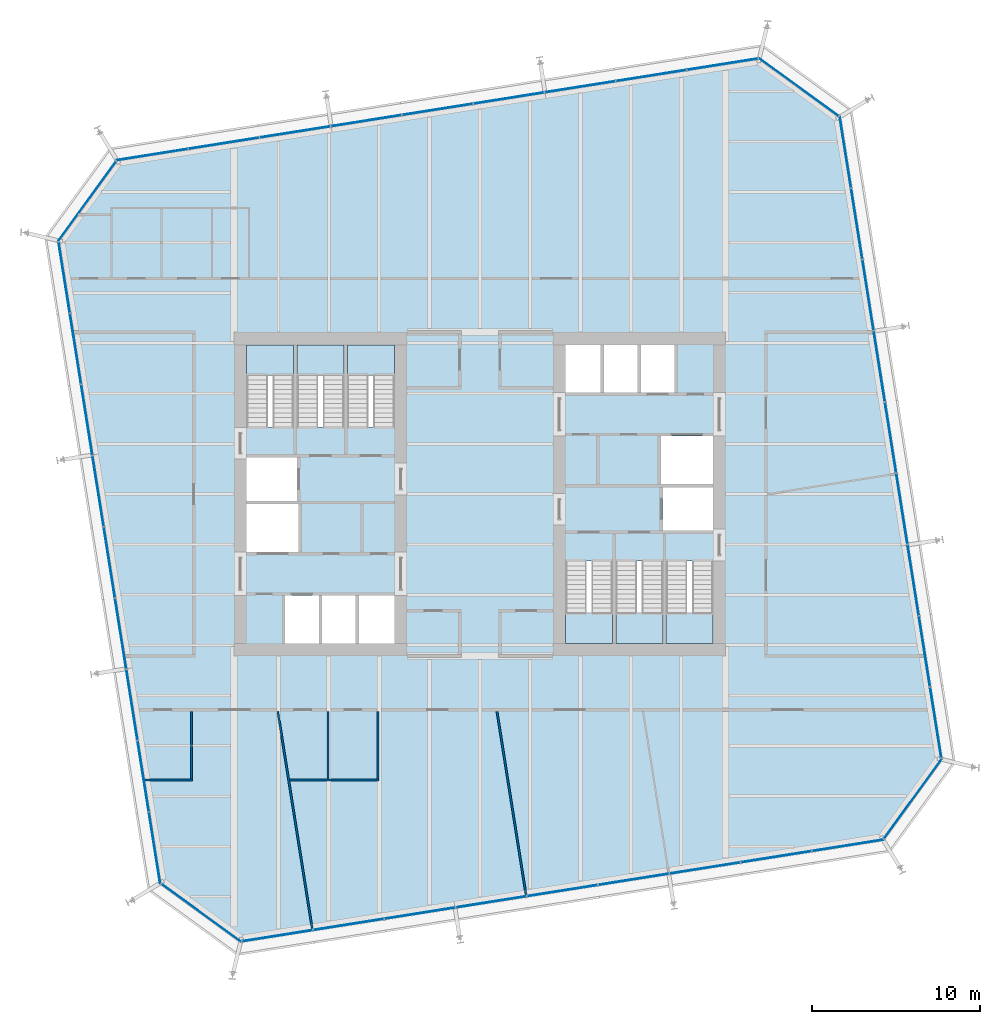
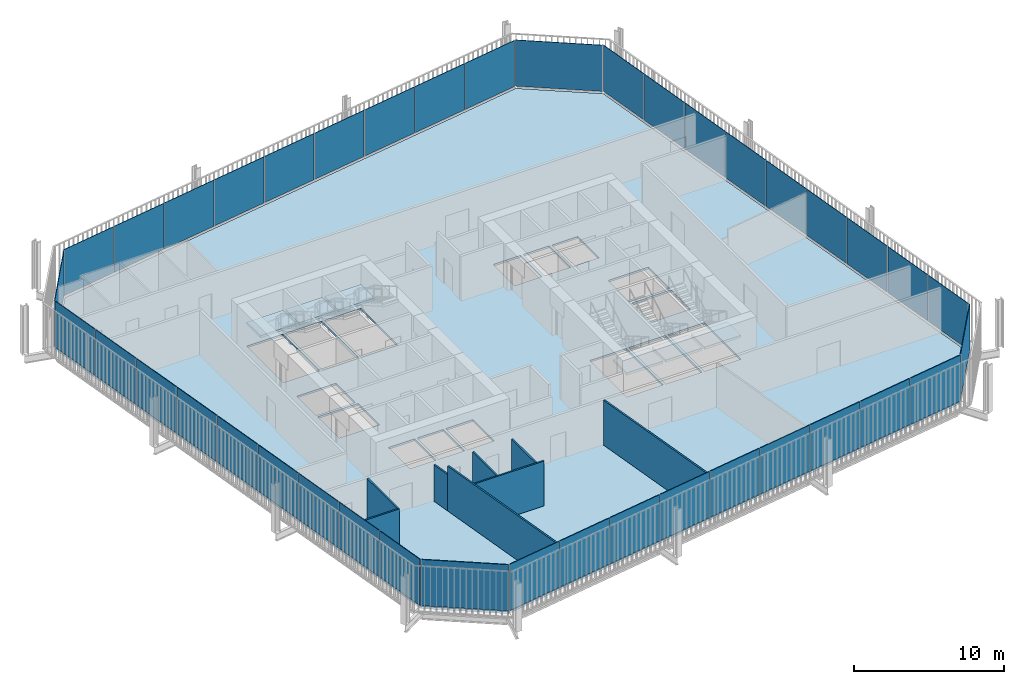
# One storey, part 16 of 21: 40 plates, 8 walls, 7 slabs, 14 elements without a shape of their own.
"""IFC4 building model written with IfcOpenShell, lengths in metres."""

from ifc_helpers import new_model, si_unit, direction, frame, frame_2d, origin, place, context, subcontext, project, spatial, polyline, rectangle, outline, extrude, material, layer, layer_set, type_object, element, aggregate, save


model = new_model("IFC4")

# Units and contexts
model_context = context("Model", 3, precision=1e-05, world=origin(), true_north=direction((0.0, 1.0)))
body_context = subcontext(model_context, "Body", "Model", "MODEL_VIEW")
ifc_project = project(units=[si_unit("LENGTHUNIT", "METRE"), si_unit("AREAUNIT", "SQUARE_METRE"), si_unit("VOLUMEUNIT", "CUBIC_METRE"), si_unit("PLANEANGLEUNIT", "RADIAN"), si_unit("MASSUNIT", "GRAM", prefix="KILO")], contexts=[model_context])

# Site, building, storey
site_placement = place(None, origin())
site = spatial("IfcSite", under=ifc_project, at=site_placement, CompositionType="ELEMENT")
building_placement = place(site_placement, origin())
building = spatial("IfcBuilding", under=site, at=building_placement, Name="Millrace Tower", CompositionType="ELEMENT")
storey_placement = place(building_placement, frame((0.0, 0.0, 191.699951171875)))
storey = spatial("IfcBuildingStorey", under=building, at=storey_placement, Name="L43", CompositionType="ELEMENT", Elevation=191.699951171875)

# Curtain wall, plate
ifc_material_1 = material(Name="Aluminium and glass", Category="aluminium")
ifc_layer_1 = layer(ifc_material_1, 0.14990234375)
ifc_layer_set_1 = layer_set([ifc_layer_1], Name="Aluminium and glass")
curtain_wall_type = type_object("IfcCurtainWallType", Name="CW-1 office vision curtain wall", PredefinedType="NOTDEFINED", material=ifc_layer_set_1)
placement_1 = place(storey_placement, origin())
curtain_wall_1 = element("IfcCurtainWall", 1, at=placement_1, inside=storey, type_object=curtain_wall_type, Name="Curtain wall C-F01 L43", PredefinedType="NOTDEFINED")
ifc_material_2 = material(Name="Glass", Category="glass")
ifc_layer_2 = layer(ifc_material_2, 0.0439453125)
ifc_layer_set_2 = layer_set([ifc_layer_2], Name="Glass")
plate_type = type_object("IfcPlateType", Name="CW-1 office vision curtain wall triple-glazed vision panel", PredefinedType="CURTAIN_PANEL", material=ifc_layer_set_2)
placement_2 = place(storey_placement, frame((0.0, 0.0, 0.14013671875)))
plate_1 = element("IfcPlate", 2, at=placement_2, type_object=plate_type, Name="CW1 panel C-F01.1", PredefinedType="CURTAIN_PANEL", context=body_context, shape_type="SweptSolid", body=[
    extrude(outline(polyline([(-18.988037109375, -23.254638671875), (-14.260009765625, -26.689697265625), (-14.2490234375, -26.6435546875), (-18.962158203125, -23.218994140625), (-18.988037109375, -23.254638671875)])), origin(), (0.0, 0.0, 1.0), 3.760009765625),
])
aggregate(curtain_wall_1, [plate_1])

# Curtain wall, plates
curtain_wall_2 = element("IfcCurtainWall", 3, at=placement_1, inside=storey, type_object=curtain_wall_type, Name="Curtain wall C-F02 L43", PredefinedType="NOTDEFINED")
plate_2 = element("IfcPlate", 4, at=placement_2, type_object=plate_type, Name="CW1 panel C-F02.1", PredefinedType="CURTAIN_PANEL", context=body_context, shape_type="SweptSolid", body=[
    extrude(outline(polyline([(-14.15625, -26.67333984375), (-9.973388671875, -26.0107421875), (-9.980224609375, -25.96728515625), (-14.1630859375, -26.6298828125), (-14.15625, -26.67333984375)])), origin(), (0.0, 0.0, 1.0), 3.760009765625),
])
plate_3 = element("IfcPlate", 5, at=placement_2, type_object=plate_type, Name="CW1 panel C-F02.2", PredefinedType="CURTAIN_PANEL", context=body_context, shape_type="SweptSolid", body=[
    extrude(outline(polyline([(-9.9091796875, -26.000732421875), (-5.726318359375, -25.338134765625), (-5.733154296875, -25.294677734375), (-9.916015625, -25.957275390625), (-9.9091796875, -26.000732421875)])), origin(), (0.0, 0.0, 1.0), 3.760009765625),
])
plate_4 = element("IfcPlate", 6, at=placement_2, type_object=plate_type, Name="CW1 panel C-F02.3", PredefinedType="CURTAIN_PANEL", context=body_context, shape_type="SweptSolid", body=[
    extrude(outline(polyline([(-5.662109375, -25.327880859375), (-1.479248046875, -24.66552734375), (-1.486083984375, -24.6220703125), (-5.6689453125, -25.284423828125), (-5.662109375, -25.327880859375)])), origin(), (0.0, 0.0, 1.0), 3.760009765625),
])
plate_5 = element("IfcPlate", 7, at=placement_2, type_object=plate_type, Name="CW1 panel C-F02.4", PredefinedType="CURTAIN_PANEL", context=body_context, shape_type="SweptSolid", body=[
    extrude(outline(polyline([(-1.4150390625, -24.6552734375), (2.767822265625, -23.992919921875), (2.760986328125, -23.949462890625), (-1.421875, -24.61181640625), (-1.4150390625, -24.6552734375)])), origin(), (0.0, 0.0, 1.0), 3.760009765625),
])
plate_6 = element("IfcPlate", 8, at=placement_2, type_object=plate_type, Name="CW1 panel C-F02.5", PredefinedType="CURTAIN_PANEL", context=body_context, shape_type="SweptSolid", body=[
    extrude(outline(polyline([(2.83203125, -23.982666015625), (7.014892578125, -23.320068359375), (7.008056640625, -23.276611328125), (2.8251953125, -23.939208984375), (2.83203125, -23.982666015625)])), origin(), (0.0, 0.0, 1.0), 3.760009765625),
])
plate_7 = element("IfcPlate", 9, at=placement_2, type_object=plate_type, Name="CW1 panel C-F02.6", PredefinedType="CURTAIN_PANEL", context=body_context, shape_type="SweptSolid", body=[
    extrude(outline(polyline([(7.0791015625, -23.31005859375), (11.261962890625, -22.6474609375), (11.255126953125, -22.60400390625), (7.072265625, -23.2666015625), (7.0791015625, -23.31005859375)])), origin(), (0.0, 0.0, 1.0), 3.760009765625),
])
plate_8 = element("IfcPlate", 10, at=placement_2, type_object=plate_type, Name="CW1 panel C-F02.7", PredefinedType="CURTAIN_PANEL", context=body_context, shape_type="SweptSolid", body=[
    extrude(outline(polyline([(11.326171875, -22.63720703125), (15.509033203125, -21.974853515625), (15.502197265625, -21.931396484375), (11.3193359375, -22.59375), (11.326171875, -22.63720703125)])), origin(), (0.0, 0.0, 1.0), 3.760009765625),
])
plate_9 = element("IfcPlate", 11, at=placement_2, type_object=plate_type, Name="CW1 panel C-F02.8", PredefinedType="CURTAIN_PANEL", context=body_context, shape_type="SweptSolid", body=[
    extrude(outline(polyline([(15.5732421875, -21.964599609375), (19.756103515625, -21.30224609375), (19.749267578125, -21.2587890625), (15.56640625, -21.921142578125), (15.5732421875, -21.964599609375)])), origin(), (0.0, 0.0, 1.0), 3.760009765625),
])
plate_10 = element("IfcPlate", 12, at=placement_2, type_object=plate_type, Name="CW1 panel C-F02.9", PredefinedType="CURTAIN_PANEL", context=body_context, shape_type="SweptSolid", body=[
    extrude(outline(polyline([(19.8203125, -21.2919921875), (24.042724609375, -20.623291015625), (24.01806640625, -20.58251953125), (19.8134765625, -21.24853515625), (19.8203125, -21.2919921875)])), origin(), (0.0, 0.0, 1.0), 3.760009765625),
])
aggregate(curtain_wall_2, [plate_2, plate_3, plate_4, plate_5, plate_6, plate_7, plate_8, plate_9, plate_10])

# Curtain wall, plate
curtain_wall_3 = element("IfcCurtainWall", 13, at=placement_1, inside=storey, type_object=curtain_wall_type, Name="Curtain wall C-F03 L43", PredefinedType="NOTDEFINED")
plate_11 = element("IfcPlate", 14, at=placement_2, type_object=plate_type, Name="CW1 panel C-F03.1", PredefinedType="CURTAIN_PANEL", context=body_context, shape_type="SweptSolid", body=[
    extrude(outline(polyline([(24.104736328125, -20.5380859375), (27.539794921875, -15.81005859375), (27.493408203125, -15.799072265625), (24.069091796875, -20.51220703125), (24.104736328125, -20.5380859375)])), origin(), (0.0, 0.0, 1.0), 3.760009765625),
])
aggregate(curtain_wall_3, [plate_11])

# Curtain wall, plates
curtain_wall_4 = element("IfcCurtainWall", 15, at=placement_1, inside=storey, type_object=curtain_wall_type, Name="Curtain wall C-F04 L43", PredefinedType="NOTDEFINED")
plate_12 = element("IfcPlate", 16, at=placement_2, type_object=plate_type, Name="CW1 panel C-F04.1", PredefinedType="CURTAIN_PANEL", context=body_context, shape_type="SweptSolid", body=[
    extrude(outline(polyline([(27.5234375, -15.706298828125), (26.86083984375, -11.5234375), (26.8173828125, -11.5302734375), (27.47998046875, -15.713134765625), (27.5234375, -15.706298828125)])), origin(), (0.0, 0.0, 1.0), 3.760009765625),
])
plate_13 = element("IfcPlate", 17, at=placement_2, type_object=plate_type, Name="CW1 panel C-F04.2", PredefinedType="CURTAIN_PANEL", context=body_context, shape_type="SweptSolid", body=[
    extrude(outline(polyline([(26.8505859375, -11.459228515625), (26.188232421875, -7.2763671875), (26.144775390625, -7.283203125), (26.80712890625, -11.466064453125), (26.8505859375, -11.459228515625)])), origin(), (0.0, 0.0, 1.0), 3.760009765625),
])
plate_14 = element("IfcPlate", 18, at=placement_2, type_object=plate_type, Name="CW1 panel C-F04.3", PredefinedType="CURTAIN_PANEL", context=body_context, shape_type="SweptSolid", body=[
    extrude(outline(polyline([(26.177978515625, -7.212158203125), (25.515380859375, -3.029296875), (25.471923828125, -3.0361328125), (26.134521484375, -7.218994140625), (26.177978515625, -7.212158203125)])), origin(), (0.0, 0.0, 1.0), 3.760009765625),
])
plate_15 = element("IfcPlate", 19, at=placement_2, type_object=plate_type, Name="CW1 panel C-F04.4", PredefinedType="CURTAIN_PANEL", context=body_context, shape_type="SweptSolid", body=[
    extrude(outline(polyline([(25.50537109375, -2.965087890625), (24.8427734375, 1.2177734375), (24.79931640625, 1.2109375), (25.4619140625, -2.971923828125), (25.50537109375, -2.965087890625)])), origin(), (0.0, 0.0, 1.0), 3.760009765625),
])
plate_16 = element("IfcPlate", 20, at=placement_2, type_object=plate_type, Name="CW1 panel C-F04.5", PredefinedType="CURTAIN_PANEL", context=body_context, shape_type="SweptSolid", body=[
    extrude(outline(polyline([(24.832763671875, 1.281982421875), (24.170166015625, 5.46484375), (24.126708984375, 5.4580078125), (24.789306640625, 1.275146484375), (24.832763671875, 1.281982421875)])), origin(), (0.0, 0.0, 1.0), 3.760009765625),
])
plate_17 = element("IfcPlate", 21, at=placement_2, type_object=plate_type, Name="CW1 panel C-F04.6", PredefinedType="CURTAIN_PANEL", context=body_context, shape_type="SweptSolid", body=[
    extrude(outline(polyline([(24.159912109375, 5.529052734375), (23.49755859375, 9.7119140625), (23.4541015625, 9.705078125), (24.116455078125, 5.522216796875), (24.159912109375, 5.529052734375)])), origin(), (0.0, 0.0, 1.0), 3.760009765625),
])
plate_18 = element("IfcPlate", 22, at=placement_2, type_object=plate_type, Name="CW1 panel C-F04.7", PredefinedType="CURTAIN_PANEL", context=body_context, shape_type="SweptSolid", body=[
    extrude(outline(polyline([(23.4873046875, 9.776123046875), (22.82470703125, 13.958984375), (22.78125, 13.9521484375), (23.44384765625, 9.769287109375), (23.4873046875, 9.776123046875)])), origin(), (0.0, 0.0, 1.0), 3.760009765625),
])
plate_19 = element("IfcPlate", 23, at=placement_2, type_object=plate_type, Name="CW1 panel C-F04.8", PredefinedType="CURTAIN_PANEL", context=body_context, shape_type="SweptSolid", body=[
    extrude(outline(polyline([(22.814697265625, 14.023193359375), (22.152099609375, 18.2060546875), (22.108642578125, 18.19921875), (22.771240234375, 14.016357421875), (22.814697265625, 14.023193359375)])), origin(), (0.0, 0.0, 1.0), 3.760009765625),
])
plate_20 = element("IfcPlate", 24, at=placement_2, type_object=plate_type, Name="CW1 panel C-F04.9", PredefinedType="CURTAIN_PANEL", context=body_context, shape_type="SweptSolid", body=[
    extrude(outline(polyline([(22.14208984375, 18.270263671875), (21.47314453125, 22.492919921875), (21.4326171875, 22.468017578125), (22.0986328125, 18.263427734375), (22.14208984375, 18.270263671875)])), origin(), (0.0, 0.0, 1.0), 3.760009765625),
])
aggregate(curtain_wall_4, [plate_12, plate_13, plate_14, plate_15, plate_16, plate_17, plate_18, plate_19, plate_20])

# Curtain wall, plate
curtain_wall_5 = element("IfcCurtainWall", 25, at=placement_1, inside=storey, type_object=curtain_wall_type, Name="Curtain wall C-F05 L43", PredefinedType="NOTDEFINED")
plate_21 = element("IfcPlate", 26, at=placement_2, type_object=plate_type, Name="CW1 panel C-F05.1", PredefinedType="CURTAIN_PANEL", context=body_context, shape_type="SweptSolid", body=[
    extrude(outline(polyline([(21.38818359375, 22.5546875), (16.66015625, 25.98974609375), (16.64892578125, 25.943359375), (21.3623046875, 22.51904296875), (21.38818359375, 22.5546875)])), origin(), (0.0, 0.0, 1.0), 3.760009765625),
])
aggregate(curtain_wall_5, [plate_21])

# Curtain wall, plates
curtain_wall_6 = element("IfcCurtainWall", 27, at=placement_1, inside=storey, type_object=curtain_wall_type, Name="Curtain wall C-F06 L43", PredefinedType="NOTDEFINED")
plate_22 = element("IfcPlate", 28, at=placement_2, type_object=plate_type, Name="CW1 panel C-F06.1", PredefinedType="CURTAIN_PANEL", context=body_context, shape_type="SweptSolid", body=[
    extrude(outline(polyline([(16.55615234375, 25.973388671875), (12.373291015625, 25.310791015625), (12.380126953125, 25.267333984375), (16.56298828125, 25.929931640625), (16.55615234375, 25.973388671875)])), origin(), (0.0, 0.0, 1.0), 3.760009765625),
])
plate_23 = element("IfcPlate", 29, at=placement_2, type_object=plate_type, Name="CW1 panel C-F06.2", PredefinedType="CURTAIN_PANEL", context=body_context, shape_type="SweptSolid", body=[
    extrude(outline(polyline([(12.30908203125, 25.300537109375), (8.126220703125, 24.63818359375), (8.133056640625, 24.5947265625), (12.31591796875, 25.257080078125), (12.30908203125, 25.300537109375)])), origin(), (0.0, 0.0, 1.0), 3.760009765625),
])
plate_24 = element("IfcPlate", 30, at=placement_2, type_object=plate_type, Name="CW1 panel C-F06.3", PredefinedType="CURTAIN_PANEL", context=body_context, shape_type="SweptSolid", body=[
    extrude(outline(polyline([(8.06201171875, 24.6279296875), (3.879150390625, 23.965576171875), (3.885986328125, 23.922119140625), (8.06884765625, 24.58447265625), (8.06201171875, 24.6279296875)])), origin(), (0.0, 0.0, 1.0), 3.760009765625),
])
plate_25 = element("IfcPlate", 31, at=placement_2, type_object=plate_type, Name="CW1 panel C-F06.4", PredefinedType="CURTAIN_PANEL", context=body_context, shape_type="SweptSolid", body=[
    extrude(outline(polyline([(3.81494140625, 23.955322265625), (-0.367919921875, 23.292724609375), (-0.361083984375, 23.249267578125), (3.82177734375, 23.911865234375), (3.81494140625, 23.955322265625)])), origin(), (0.0, 0.0, 1.0), 3.760009765625),
])
plate_26 = element("IfcPlate", 32, at=placement_2, type_object=plate_type, Name="CW1 panel C-F06.5", PredefinedType="CURTAIN_PANEL", context=body_context, shape_type="SweptSolid", body=[
    extrude(outline(polyline([(-0.43212890625, 23.28271484375), (-4.614990234375, 22.6201171875), (-4.60791015625, 22.57666015625), (-0.42529296875, 23.2392578125), (-0.43212890625, 23.28271484375)])), origin(), (0.0, 0.0, 1.0), 3.760009765625),
])
plate_27 = element("IfcPlate", 33, at=placement_2, type_object=plate_type, Name="CW1 panel C-F06.6", PredefinedType="CURTAIN_PANEL", context=body_context, shape_type="SweptSolid", body=[
    extrude(outline(polyline([(-4.67919921875, 22.60986328125), (-8.862060546875, 21.947509765625), (-8.85498046875, 21.904052734375), (-4.672119140625, 22.56640625), (-4.67919921875, 22.60986328125)])), origin(), (0.0, 0.0, 1.0), 3.760009765625),
])
plate_28 = element("IfcPlate", 34, at=placement_2, type_object=plate_type, Name="CW1 panel C-F06.7", PredefinedType="CURTAIN_PANEL", context=body_context, shape_type="SweptSolid", body=[
    extrude(outline(polyline([(-8.92626953125, 21.937255859375), (-13.109130859375, 21.27490234375), (-13.10205078125, 21.2314453125), (-8.919189453125, 21.893798828125), (-8.92626953125, 21.937255859375)])), origin(), (0.0, 0.0, 1.0), 3.760009765625),
])
plate_29 = element("IfcPlate", 35, at=placement_2, type_object=plate_type, Name="CW1 panel C-F06.8", PredefinedType="CURTAIN_PANEL", context=body_context, shape_type="SweptSolid", body=[
    extrude(outline(polyline([(-13.17333984375, 21.2646484375), (-17.356201171875, 20.60205078125), (-17.34912109375, 20.55859375), (-13.166259765625, 21.22119140625), (-13.17333984375, 21.2646484375)])), origin(), (0.0, 0.0, 1.0), 3.760009765625),
])
plate_30 = element("IfcPlate", 36, at=placement_2, type_object=plate_type, Name="CW1 panel C-F06.9", PredefinedType="CURTAIN_PANEL", context=body_context, shape_type="SweptSolid", body=[
    extrude(outline(polyline([(-17.42041015625, 20.592041015625), (-21.642822265625, 19.923095703125), (-21.617919921875, 19.882568359375), (-17.413330078125, 20.548583984375), (-17.42041015625, 20.592041015625)])), origin(), (0.0, 0.0, 1.0), 3.760009765625),
])
aggregate(curtain_wall_6, [plate_22, plate_23, plate_24, plate_25, plate_26, plate_27, plate_28, plate_29, plate_30])

# Curtain wall, plate
curtain_wall_7 = element("IfcCurtainWall", 37, at=placement_1, inside=storey, type_object=curtain_wall_type, Name="Curtain wall C-F07 L43", PredefinedType="NOTDEFINED")
plate_31 = element("IfcPlate", 38, at=placement_2, type_object=plate_type, Name="CW1 panel C-F07.1", PredefinedType="CURTAIN_PANEL", context=body_context, shape_type="SweptSolid", body=[
    extrude(outline(polyline([(-21.70458984375, 19.838134765625), (-25.139892578125, 15.110107421875), (-25.093505859375, 15.098876953125), (-21.6689453125, 19.812255859375), (-21.70458984375, 19.838134765625)])), origin(), (0.0, 0.0, 1.0), 3.760009765625),
])
aggregate(curtain_wall_7, [plate_31])

# Curtain wall, plates
curtain_wall_8 = element("IfcCurtainWall", 39, at=placement_1, inside=storey, type_object=curtain_wall_type, Name="Curtain wall C-F08 L43", PredefinedType="NOTDEFINED")
plate_32 = element("IfcPlate", 40, at=placement_2, type_object=plate_type, Name="CW1 panel C-F08.1", PredefinedType="CURTAIN_PANEL", context=body_context, shape_type="SweptSolid", body=[
    extrude(outline(polyline([(-25.123291015625, 15.006103515625), (-24.4609375, 10.8232421875), (-24.41748046875, 10.830322265625), (-25.079833984375, 15.01318359375), (-25.123291015625, 15.006103515625)])), origin(), (0.0, 0.0, 1.0), 3.760009765625),
])
plate_33 = element("IfcPlate", 41, at=placement_2, type_object=plate_type, Name="CW1 panel C-F08.2", PredefinedType="CURTAIN_PANEL", context=body_context, shape_type="SweptSolid", body=[
    extrude(outline(polyline([(-24.45068359375, 10.759033203125), (-23.7880859375, 6.576171875), (-23.74462890625, 6.583251953125), (-24.4072265625, 10.76611328125), (-24.45068359375, 10.759033203125)])), origin(), (0.0, 0.0, 1.0), 3.760009765625),
])
plate_34 = element("IfcPlate", 42, at=placement_2, type_object=plate_type, Name="CW1 panel C-F08.3", PredefinedType="CURTAIN_PANEL", context=body_context, shape_type="SweptSolid", body=[
    extrude(outline(polyline([(-23.778076171875, 6.511962890625), (-23.115478515625, 2.3291015625), (-23.072021484375, 2.336181640625), (-23.734619140625, 6.51904296875), (-23.778076171875, 6.511962890625)])), origin(), (0.0, 0.0, 1.0), 3.760009765625),
])
plate_35 = element("IfcPlate", 43, at=placement_2, type_object=plate_type, Name="CW1 panel C-F08.4", PredefinedType="CURTAIN_PANEL", context=body_context, shape_type="SweptSolid", body=[
    extrude(outline(polyline([(-23.105224609375, 2.264892578125), (-22.44287109375, -1.91796875), (-22.3994140625, -1.910888671875), (-23.061767578125, 2.27197265625), (-23.105224609375, 2.264892578125)])), origin(), (0.0, 0.0, 1.0), 3.760009765625),
])
plate_36 = element("IfcPlate", 44, at=placement_2, type_object=plate_type, Name="CW1 panel C-F08.5", PredefinedType="CURTAIN_PANEL", context=body_context, shape_type="SweptSolid", body=[
    extrude(outline(polyline([(-22.4326171875, -1.98193359375), (-21.770263671875, -6.164794921875), (-21.726806640625, -6.157958984375), (-22.38916015625, -1.97509765625), (-22.4326171875, -1.98193359375)])), origin(), (0.0, 0.0, 1.0), 3.760009765625),
])
plate_37 = element("IfcPlate", 45, at=placement_2, type_object=plate_type, Name="CW1 panel C-F08.6", PredefinedType="CURTAIN_PANEL", context=body_context, shape_type="SweptSolid", body=[
    extrude(outline(polyline([(-21.760009765625, -6.22900390625), (-21.097412109375, -10.411865234375), (-21.053955078125, -10.405029296875), (-21.716552734375, -6.22216796875), (-21.760009765625, -6.22900390625)])), origin(), (0.0, 0.0, 1.0), 3.760009765625),
])
plate_38 = element("IfcPlate", 46, at=placement_2, type_object=plate_type, Name="CW1 panel C-F08.7", PredefinedType="CURTAIN_PANEL", context=body_context, shape_type="SweptSolid", body=[
    extrude(outline(polyline([(-21.08740234375, -10.47607421875), (-20.4248046875, -14.658935546875), (-20.38134765625, -14.652099609375), (-21.0439453125, -10.46923828125), (-21.08740234375, -10.47607421875)])), origin(), (0.0, 0.0, 1.0), 3.760009765625),
])
plate_39 = element("IfcPlate", 47, at=placement_2, type_object=plate_type, Name="CW1 panel C-F08.8", PredefinedType="CURTAIN_PANEL", context=body_context, shape_type="SweptSolid", body=[
    extrude(outline(polyline([(-20.41455078125, -14.72314453125), (-19.752197265625, -18.906005859375), (-19.708740234375, -18.899169921875), (-20.37109375, -14.71630859375), (-20.41455078125, -14.72314453125)])), origin(), (0.0, 0.0, 1.0), 3.760009765625),
])
plate_40 = element("IfcPlate", 48, at=placement_2, type_object=plate_type, Name="CW1 panel C-F08.9", PredefinedType="CURTAIN_PANEL", context=body_context, shape_type="SweptSolid", body=[
    extrude(outline(polyline([(-19.741943359375, -18.97021484375), (-19.0732421875, -23.19287109375), (-19.032470703125, -23.16796875), (-19.698486328125, -18.96337890625), (-19.741943359375, -18.97021484375)])), origin(), (0.0, 0.0, 1.0), 3.760009765625),
])
aggregate(curtain_wall_8, [plate_32, plate_33, plate_34, plate_35, plate_36, plate_37, plate_38, plate_39, plate_40])

# Slab
ifc_material_3 = material(Name="Concrete C35 on steel deck", Category="concrete")
ifc_layer_3 = layer(ifc_material_3, 0.159912109375)
ifc_layer_set_3 = layer_set([ifc_layer_3], Name="Concrete C35 on steel deck")
slab_type_1 = type_object("IfcSlabType", Name="Composite floor slab 160 mm", PredefinedType="FLOOR", material=ifc_layer_set_3)
slab_1_placement = place(storey_placement, frame((0.0, 0.0, -0.159912109375)))
element("IfcSlab", 49, at=slab_1_placement, inside=storey, type_object=slab_type_1, Name="SL-C-L43-S1", PredefinedType="FLOOR", context=body_context, shape_type="SweptSolid", body=[
    extrude(outline(polyline([(-18.983642578125, -23.137939453125), (-14.235595703125, -26.587646484375), (23.988037109375, -20.53369140625), (27.437744140625, -15.78564453125), (21.3837890625, 22.43798828125), (16.635498046875, 25.8876953125), (-21.587890625, 19.833740234375), (-25.03759765625, 15.08544921875), (-18.983642578125, -23.137939453125)]), holes=[polyline([(-11.60009765625, -8.89990234375), (-9.60009765625, -8.89990234375), (-9.60009765625, -6.050048828125), (-11.60009765625, -6.050048828125), (-11.60009765625, -8.89990234375)]), polyline([(-9.39990234375, -8.89990234375), (-7.39990234375, -8.89990234375), (-7.39990234375, -6.050048828125), (-9.39990234375, -6.050048828125), (-9.39990234375, -8.89990234375)]), polyline([(-7.199951171875, -8.89990234375), (-5.10009765625, -8.89990234375), (-5.10009765625, -6.050048828125), (-7.199951171875, -6.050048828125), (-7.199951171875, -8.89990234375)]), polyline([(-13.89990234375, -3.449951171875), (-10.800048828125, -3.449951171875), (-10.800048828125, -0.60009765625), (-13.89990234375, -0.60009765625), (-13.89990234375, -3.449951171875)]), polyline([(-13.89990234375, -0.39990234375), (-10.89990234375, -0.39990234375), (-10.89990234375, 2.179931640625), (-13.89990234375, 2.179931640625), (-13.89990234375, -0.39990234375)]), polyline([(-13.89990234375, 4.0), (-11.10009765625, 4.0), (-11.10009765625, 8.89990234375), (-13.89990234375, 8.89990234375), (-13.89990234375, 4.0)]), polyline([(-10.89990234375, 4.0), (-8.10009765625, 4.0), (-8.10009765625, 8.89990234375), (-10.89990234375, 8.89990234375), (-10.89990234375, 4.0)]), polyline([(-7.89990234375, 4.0), (-5.10009765625, 4.0), (-5.10009765625, 8.89990234375), (-7.89990234375, 8.89990234375), (-7.89990234375, 4.0)]), polyline([(9.60009765625, 6.050048828125), (11.60009765625, 6.050048828125), (11.60009765625, 8.89990234375), (9.60009765625, 8.89990234375), (9.60009765625, 6.050048828125)]), polyline([(7.39990234375, 6.050048828125), (9.39990234375, 6.050048828125), (9.39990234375, 8.89990234375), (7.39990234375, 8.89990234375), (7.39990234375, 6.050048828125)]), polyline([(5.10009765625, 6.050048828125), (7.199951171875, 6.050048828125), (7.199951171875, 8.89990234375), (5.10009765625, 8.89990234375), (5.10009765625, 6.050048828125)]), polyline([(10.800048828125, 0.60009765625), (13.89990234375, 0.60009765625), (13.89990234375, 3.449951171875), (10.800048828125, 3.449951171875), (10.800048828125, 0.60009765625)]), polyline([(10.89990234375, -2.179931640625), (13.89990234375, -2.179931640625), (13.89990234375, 0.39990234375), (10.89990234375, 0.39990234375), (10.89990234375, -2.179931640625)]), polyline([(11.10009765625, -8.89990234375), (13.89990234375, -8.89990234375), (13.89990234375, -4.0), (11.10009765625, -4.0), (11.10009765625, -8.89990234375)]), polyline([(8.10009765625, -8.89990234375), (10.89990234375, -8.89990234375), (10.89990234375, -4.0), (8.10009765625, -4.0), (8.10009765625, -8.89990234375)]), polyline([(5.10009765625, -8.89990234375), (7.89990234375, -8.89990234375), (7.89990234375, -4.0), (5.10009765625, -4.0), (5.10009765625, -8.89990234375)])]), origin(), (0.0, 0.0, 1.0), 0.159912109375),
])

# Stair, slab
ifc_material_4 = material(Name="Concrete C35", Category="concrete")
stair_type = type_object("IfcStairType", Name="Exit stair", PredefinedType="HALF_TURN_STAIR", material=ifc_material_4)
stair_1 = element("IfcStair", 50, at=placement_1, inside=storey, type_object=stair_type, Name="Stair 1 W L43", PredefinedType="HALF_TURN_STAIR")
ifc_material_5 = material(Name="Concrete C40", Category="concrete")
ifc_layer_4 = layer(ifc_material_5, 0.199951171875)
ifc_layer_set_4 = layer_set([ifc_layer_4], Name="Concrete C40")
slab_type_2 = type_object("IfcSlabType", Name="Stair landing", PredefinedType="LANDING", material=ifc_layer_set_4)
placement_3 = place(storey_placement, frame((0.0, 0.0, 1.75)))
slab_2 = element("IfcSlab", 51, at=placement_3, type_object=slab_type_2, Name="ST12 landing 1", PredefinedType="LANDING", context=body_context, shape_type="SweptSolid", body=[
    extrude(outline(polyline([(-13.89990234375, 7.080078125), (-11.10009765625, 7.080078125), (-11.10009765625, 8.89990234375), (-13.89990234375, 8.89990234375), (-13.89990234375, 7.080078125)])), origin(), (0.0, 0.0, 1.0), 0.199951171875),
])
aggregate(stair_1, [slab_2])

stair_2 = element("IfcStair", 52, at=placement_1, inside=storey, type_object=stair_type, Name="Stair 2 W L43", PredefinedType="HALF_TURN_STAIR")
slab_3 = element("IfcSlab", 53, at=placement_3, type_object=slab_type_2, Name="ST12 landing 1", PredefinedType="LANDING", context=body_context, shape_type="SweptSolid", body=[
    extrude(outline(polyline([(-10.89990234375, 7.080078125), (-8.10009765625, 7.080078125), (-8.10009765625, 8.89990234375), (-10.89990234375, 8.89990234375), (-10.89990234375, 7.080078125)])), origin(), (0.0, 0.0, 1.0), 0.199951171875),
])
aggregate(stair_2, [slab_3])

stair_3 = element("IfcStair", 54, at=placement_1, inside=storey, type_object=stair_type, Name="Stair 3 W L43", PredefinedType="HALF_TURN_STAIR")
slab_4 = element("IfcSlab", 55, at=placement_3, type_object=slab_type_2, Name="ST12 landing 1", PredefinedType="LANDING", context=body_context, shape_type="SweptSolid", body=[
    extrude(outline(polyline([(-7.89990234375, 7.080078125), (-5.10009765625, 7.080078125), (-5.10009765625, 8.89990234375), (-7.89990234375, 8.89990234375), (-7.89990234375, 7.080078125)])), origin(), (0.0, 0.0, 1.0), 0.199951171875),
])
aggregate(stair_3, [slab_4])

stair_4 = element("IfcStair", 56, at=placement_1, inside=storey, type_object=stair_type, Name="Stair 1 E L43", PredefinedType="HALF_TURN_STAIR")
slab_5 = element("IfcSlab", 57, at=placement_3, type_object=slab_type_2, Name="ST12 landing 1", PredefinedType="LANDING", context=body_context, shape_type="SweptSolid", body=[
    extrude(outline(polyline([(11.10009765625, -8.89990234375), (13.89990234375, -8.89990234375), (13.89990234375, -7.080078125), (11.10009765625, -7.080078125), (11.10009765625, -8.89990234375)])), origin(), (0.0, 0.0, 1.0), 0.199951171875),
])
aggregate(stair_4, [slab_5])

stair_5 = element("IfcStair", 58, at=placement_1, inside=storey, type_object=stair_type, Name="Stair 2 E L43", PredefinedType="HALF_TURN_STAIR")
slab_6 = element("IfcSlab", 59, at=placement_3, type_object=slab_type_2, Name="ST12 landing 1", PredefinedType="LANDING", context=body_context, shape_type="SweptSolid", body=[
    extrude(outline(polyline([(8.10009765625, -8.89990234375), (10.89990234375, -8.89990234375), (10.89990234375, -7.080078125), (8.10009765625, -7.080078125), (8.10009765625, -8.89990234375)])), origin(), (0.0, 0.0, 1.0), 0.199951171875),
])
aggregate(stair_5, [slab_6])

stair_6 = element("IfcStair", 60, at=placement_1, inside=storey, type_object=stair_type, Name="Stair 3 E L43", PredefinedType="HALF_TURN_STAIR")
slab_7 = element("IfcSlab", 61, at=placement_3, type_object=slab_type_2, Name="ST12 landing 1", PredefinedType="LANDING", context=body_context, shape_type="SweptSolid", body=[
    extrude(outline(polyline([(5.10009765625, -8.89990234375), (7.89990234375, -8.89990234375), (7.89990234375, -7.080078125), (5.10009765625, -7.080078125), (5.10009765625, -8.89990234375)])), origin(), (0.0, 0.0, 1.0), 0.199951171875),
])
aggregate(stair_6, [slab_7])

# Walls
ifc_material_6 = material(Name="Gypsum board partition")
ifc_layer_5 = layer(ifc_material_6, 0.1201171875)
ifc_layer_set_5 = layer_set([ifc_layer_5], Name="Gypsum board partition")
wall_type = type_object("IfcWallType", Name="Partition wall 120", PredefinedType="PARTITIONING", material=ifc_layer_set_5)
wall_1_placement = place(storey_placement, frame((-12.042724609375, -12.94873046875, 0.0), z_axis=(0.0, 0.0, 1.0), x_axis=(0.156482350808, -0.987680755045, 0.0)))
element("IfcWall", 62, at=wall_1_placement, inside=storey, type_object=wall_type, Name="Partition wall L43", PredefinedType="PARTITIONING", context=body_context, shape_type="SweptSolid", body=[
    extrude(rectangle(XDim=1.47119140625, YDim=0.1201171875, at=frame_2d((0.735595703125, 0.0))), origin(), (0.0, 0.0, 1.0), 2.95654296875),
])
wall_2_placement = place(storey_placement, frame((-11.8125, -14.40185546875, 0.0), z_axis=(0.0, 0.0, 1.0), x_axis=(0.156449587439, -0.987685945324, 0.0)))
element("IfcWall", 63, at=wall_2_placement, inside=storey, type_object=wall_type, Name="Partition wall L43", PredefinedType="PARTITIONING", context=body_context, shape_type="SweptSolid", body=[
    extrude(rectangle(XDim=11.6865234375, YDim=0.1201171875, at=frame_2d((5.84326171875, 0.0))), origin(), (0.0, 0.0, 1.0), 3.650146484375),
])
wall_3_placement = place(storey_placement, frame((1.0185546875, -12.94873046875, 0.0), z_axis=(0.0, 0.0, 1.0), x_axis=(0.156482541612, -0.987680724815, 0.0)))
element("IfcWall", 64, at=wall_3_placement, inside=storey, type_object=wall_type, Name="Partition wall L43", PredefinedType="PARTITIONING", context=body_context, shape_type="SweptSolid", body=[
    extrude(rectangle(XDim=11.11474609375, YDim=0.1201171875, at=frame_2d((5.557373046875, 0.0))), origin(), (0.0, 0.0, 1.0), 3.650146484375),
])
wall_4_placement = place(storey_placement, frame((-19.978271484375, -17.050048828125, 0.0), z_axis=(0.0, 0.0, 1.0), x_axis=(1.0, 0.0, 0.0)))
element("IfcWall", 65, at=wall_4_placement, inside=storey, type_object=wall_type, Name="Partition wall L43", PredefinedType="PARTITIONING", context=body_context, shape_type="SweptSolid", body=[
    extrude(rectangle(XDim=2.84521484375, YDim=0.1201171875, at=frame_2d((1.422607421875, 0.0))), origin(), (0.0, 0.0, 1.0), 3.650146484375),
])
wall_5_placement = place(storey_placement, frame((-11.332763671875, -17.050048828125, 0.0), z_axis=(0.0, 0.0, 1.0), x_axis=(1.0, 0.0, 0.0)))
element("IfcWall", 66, at=wall_5_placement, inside=storey, type_object=wall_type, Name="Partition wall L43", PredefinedType="PARTITIONING", context=body_context, shape_type="SweptSolid", body=[
    extrude(rectangle(XDim=5.333740234375, YDim=0.1201171875, at=frame_2d((2.6669921875, 0.0))), origin(), (0.0, 0.0, 1.0), 3.650146484375),
])
wall_6_placement = place(storey_placement, frame((-6.05810546875, -16.989013671875, 0.0), z_axis=(0.0, 0.0, 1.0), x_axis=(0.0, 1.0, 0.0)))
element("IfcWall", 67, at=wall_6_placement, inside=storey, type_object=wall_type, Name="Partition wall L43", PredefinedType="PARTITIONING", context=body_context, shape_type="SweptSolid", body=[
    extrude(rectangle(XDim=4.0390625, YDim=0.1201171875, at=frame_2d((2.01953125, 0.0))), origin(), (0.0, 0.0, 1.0), 2.95654296875),
])
wall_7_placement = place(storey_placement, frame((-9.05810546875, -16.989990234375, 0.0), z_axis=(0.0, 0.0, 1.0), x_axis=(0.0, 1.0, 0.0)))
element("IfcWall", 68, at=wall_7_placement, inside=storey, type_object=wall_type, Name="Partition wall L43", PredefinedType="PARTITIONING", context=body_context, shape_type="SweptSolid", body=[
    extrude(rectangle(XDim=4.0400390625, YDim=0.1201171875, at=frame_2d((2.02001953125, 0.0))), origin(), (0.0, 0.0, 1.0), 2.95654296875),
])
wall_8_placement = place(storey_placement, frame((-17.193115234375, -16.989990234375, 0.0), z_axis=(0.0, 0.0, 1.0), x_axis=(0.0, 1.0, 0.0)))
element("IfcWall", 69, at=wall_8_placement, inside=storey, type_object=wall_type, Name="Partition wall L43", PredefinedType="PARTITIONING", context=body_context, shape_type="SweptSolid", body=[
    extrude(rectangle(XDim=4.0400390625, YDim=0.1201171875, at=frame_2d((2.02001953125, 0.0))), origin(), (0.0, 0.0, 1.0), 3.650146484375),
])

save(model, "model.ifc")
